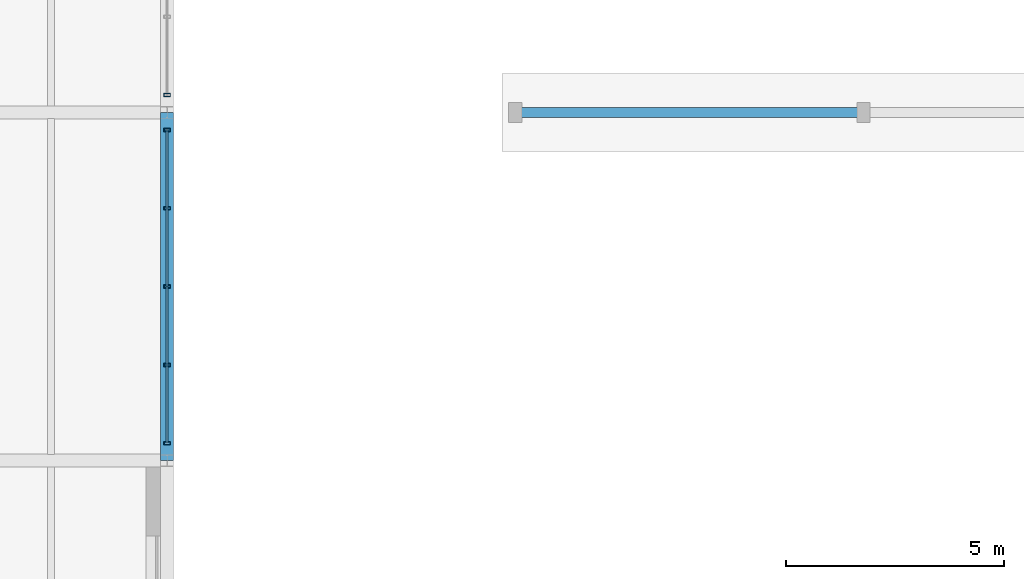
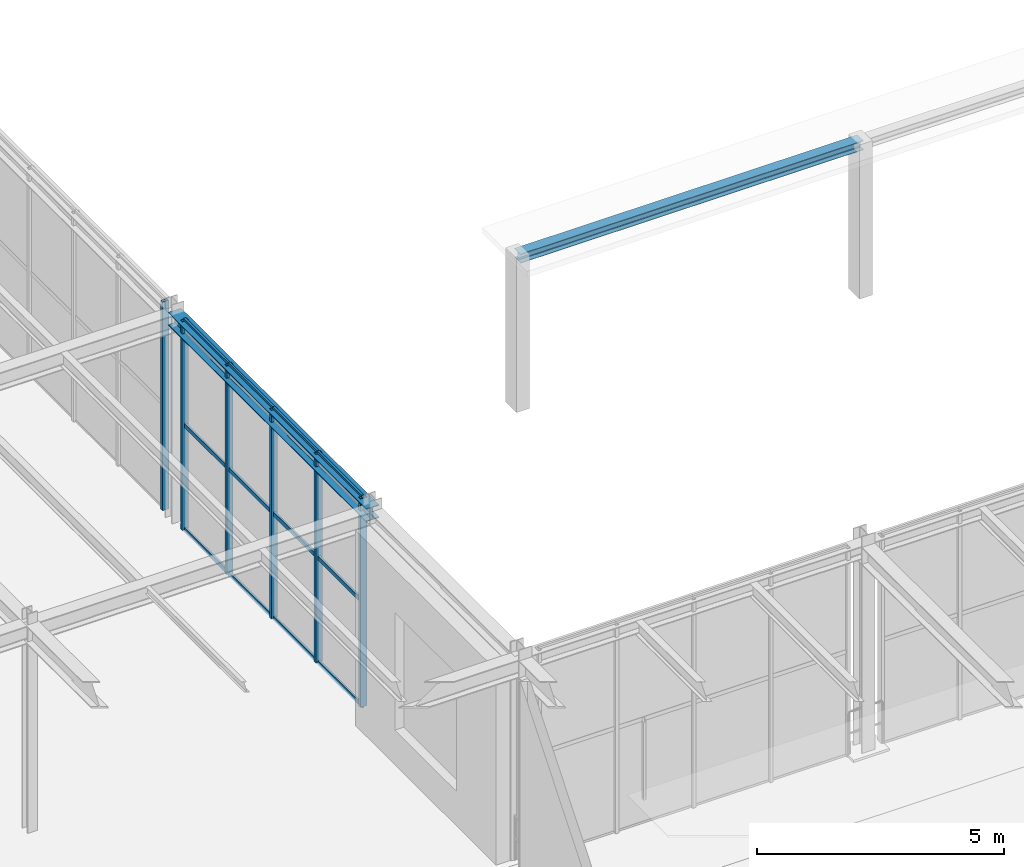
# One storey, part 39 of 129: 18 members, 2 beams, 2 elements without a shape of their own.
"""IFC4 building model written with IfcOpenShell, lengths in metres."""

from ifc_helpers import new_model, si_unit, direction, frame, origin, origin_2d, place, context, subcontext, project, spatial, hollow_rectangle, i_section, extrude, material, material_profile, profile_set, type_object, element, aggregate, save


model = new_model("IFC4")

# Units and contexts
model_context = context("Model", 3, precision=1e-05, world=origin(), true_north=direction((0.0, 1.0)))
body_context = subcontext(model_context, "Body", "Model", "MODEL_VIEW")
ifc_project = project(units=[si_unit("LENGTHUNIT", "METRE"), si_unit("AREAUNIT", "SQUARE_METRE"), si_unit("VOLUMEUNIT", "CUBIC_METRE"), si_unit("PLANEANGLEUNIT", "RADIAN"), si_unit("MASSUNIT", "GRAM", prefix="KILO")], contexts=[model_context])

# Site, building, storey
site_placement = place(None, origin())
site = spatial("IfcSite", under=ifc_project, at=site_placement, CompositionType="ELEMENT")
building_placement = place(site_placement, origin())
building = spatial("IfcBuilding", under=site, at=building_placement, Name="Sundkrona Museum", CompositionType="ELEMENT")
storey_placement = place(building_placement, origin())
storey = spatial("IfcBuildingStorey", under=building, at=storey_placement, Name="L00", CompositionType="ELEMENT", Elevation=0.0)

# Beam
ifc_material_1 = material(Name="Steel S355J2", Category="steel")
ifc_material_profile_1 = material_profile(ifc_material_1, i_section(OverallWidth=0.239990234375, OverallDepth=0.22998046875, WebThickness=0.007568359375, FlangeThickness=0.011962890625, FilletRadius=0.02099609375, at=origin_2d()), Name="HEA 240")
ifc_profile_set_1 = profile_set([ifc_material_profile_1], Name="Steel S355J2")
beam_type_1 = type_object("IfcBeamType", Name="B-HEA240", PredefinedType="BEAM", material=ifc_profile_set_1)
beam_1_placement = place(storey_placement, frame((104.0, 54.0, 3.679931640625), z_axis=(1.0, 0.0, 0.0), x_axis=(0.0, 1.0, 0.0)))
element("IfcBeam", 1, at=beam_1_placement, inside=storey, type_object=beam_type_1, Name="Courtyard Pergola Tie Beam SCN-1", PredefinedType="BEAM", context=body_context, shape_type="SweptSolid", body=[
    extrude(i_section(OverallWidth=0.239990234375, OverallDepth=0.22998046875, WebThickness=0.007568359375, FlangeThickness=0.011962890625, FilletRadius=0.02099609375, at=origin_2d()), origin(), (0.0, 0.0, 1.0), 8.0),
])

# Curtain wall, members
ifc_material_2 = material(Name="Unitised Aluminium-Steel and Ceramic-Clad Curtain Walling", Category="steel")
curtain_wall_type = type_object("IfcCurtainWallType", Name="CW-PS-74x48", PredefinedType="NOTDEFINED", material=ifc_material_2)
curtain_wall_1_placement = place(storey_placement, origin())
curtain_wall_1 = element("IfcCurtainWall", 2, at=curtain_wall_1_placement, inside=storey, type_object=curtain_wall_type, Name="L00 Curtain Wall CW-L00-095", PredefinedType="NOTDEFINED")
ifc_material_3 = material(Name="Aluminium EN AW-6060 T66", Category="aluminium")
ifc_material_profile_2 = material_profile(ifc_material_3, hollow_rectangle(XDim=0.074951171875, YDim=0.14990234375, WallThickness=0.00634765625, at=origin_2d()), Name="RHS 150x75x6.3")
ifc_profile_set_2 = profile_set([ifc_material_profile_2], Name="Aluminium EN AW-6060 T66")
member_type_1 = type_object("IfcMemberType", Name="ML-150", PredefinedType="MULLION", material=ifc_profile_set_2)
member_1_placement = place(storey_placement, frame((96.0, 46.39990234375, -0.00390625), z_axis=(0.0, 0.0, 1.0), x_axis=(0.0, 1.0, 0.0)))
member_1 = element("IfcMember", 3, at=member_1_placement, type_object=member_type_1, Name="CW-L00-095 Mullion 01", PredefinedType="MULLION", context=body_context, shape_type="SweptSolid", body=[
    extrude(hollow_rectangle(XDim=0.074951171875, YDim=0.14990234375, WallThickness=0.00634765625, at=origin_2d()), origin(), (0.0, 0.0, 1.0), 5.14794921875),
])
member_2_placement = place(storey_placement, frame((96.0, 48.199951171875, -0.00390625), z_axis=(0.0, 0.0, 1.0), x_axis=(0.0, 1.0, 0.0)))
member_2 = element("IfcMember", 4, at=member_2_placement, type_object=member_type_1, Name="CW-L00-095 Mullion 02", PredefinedType="MULLION", context=body_context, shape_type="SweptSolid", body=[
    extrude(hollow_rectangle(XDim=0.074951171875, YDim=0.14990234375, WallThickness=0.00634765625, at=origin_2d()), origin(), (0.0, 0.0, 1.0), 5.14794921875),
])
member_3_placement = place(storey_placement, frame((96.0, 50.0, -0.00390625), z_axis=(0.0, 0.0, 1.0), x_axis=(0.0, 1.0, 0.0)))
member_3 = element("IfcMember", 5, at=member_3_placement, type_object=member_type_1, Name="CW-L00-095 Mullion 03", PredefinedType="MULLION", context=body_context, shape_type="SweptSolid", body=[
    extrude(hollow_rectangle(XDim=0.074951171875, YDim=0.14990234375, WallThickness=0.00634765625, at=origin_2d()), origin(), (0.0, 0.0, 1.0), 5.14794921875),
])
member_4_placement = place(storey_placement, frame((96.0, 51.800048828125, -0.00390625), z_axis=(0.0, 0.0, 1.0), x_axis=(0.0, 1.0, 0.0)))
member_4 = element("IfcMember", 6, at=member_4_placement, type_object=member_type_1, Name="CW-L00-095 Mullion 04", PredefinedType="MULLION", context=body_context, shape_type="SweptSolid", body=[
    extrude(hollow_rectangle(XDim=0.074951171875, YDim=0.14990234375, WallThickness=0.00634765625, at=origin_2d()), origin(), (0.0, 0.0, 1.0), 5.14794921875),
])
member_5_placement = place(storey_placement, frame((96.0, 53.60009765625, -0.00390625), z_axis=(0.0, 0.0, 1.0), x_axis=(0.0, 1.0, 0.0)))
member_5 = element("IfcMember", 7, at=member_5_placement, type_object=member_type_1, Name="CW-L00-095 Mullion 05", PredefinedType="MULLION", context=body_context, shape_type="SweptSolid", body=[
    extrude(hollow_rectangle(XDim=0.074951171875, YDim=0.14990234375, WallThickness=0.00634765625, at=origin_2d()), origin(), (0.0, 0.0, 1.0), 5.14794921875),
])

# Curtain wall, member
curtain_wall_2_placement = place(storey_placement, origin())
curtain_wall_2 = element("IfcCurtainWall", 8, at=curtain_wall_2_placement, inside=storey, type_object=curtain_wall_type, Name="L00 Curtain Wall CW-L00-097", PredefinedType="NOTDEFINED")
member_6_placement = place(storey_placement, frame((96.0, 54.39990234375, -0.00390625), z_axis=(0.0, 0.0, 1.0), x_axis=(0.0, 1.0, 0.0)))
member_6 = element("IfcMember", 9, at=member_6_placement, type_object=member_type_1, Name="CW-L00-097 Mullion 01", PredefinedType="MULLION", context=body_context, shape_type="SweptSolid", body=[
    extrude(hollow_rectangle(XDim=0.074951171875, YDim=0.14990234375, WallThickness=0.00634765625, at=origin_2d()), origin(), (0.0, 0.0, 1.0), 5.14794921875),
])
aggregate(curtain_wall_2, [member_6])

# Beam
ifc_material_profile_3 = material_profile(ifc_material_1, i_section(OverallWidth=0.300048828125, OverallDepth=0.320068359375, WebThickness=0.011474609375, FlangeThickness=0.0205078125, FilletRadius=0.027099609375, at=origin_2d()), Name="HEB 320")
ifc_profile_set_3 = profile_set([ifc_material_profile_3], Name="Steel S355J2")
beam_type_2 = type_object("IfcBeamType", Name="SP-HEB320", PredefinedType="SPANDREL", material=ifc_profile_set_3)
beam_2_placement = place(storey_placement, frame((96.0, 46.0, 4.97998046875), z_axis=(0.0, 1.0, 0.0), x_axis=(-1.0, 0.0, 0.0)))
element("IfcBeam", 10, at=beam_2_placement, inside=storey, type_object=beam_type_2, Name="L00 Girder Y-0702", PredefinedType="SPANDREL", context=body_context, shape_type="SweptSolid", body=[
    extrude(i_section(OverallWidth=0.300048828125, OverallDepth=0.320068359375, WebThickness=0.011474609375, FlangeThickness=0.0205078125, FilletRadius=0.027099609375, at=origin_2d()), origin(), (0.0, 0.0, 1.0), 8.0),
])

# Member
ifc_material_profile_4 = material_profile(ifc_material_3, hollow_rectangle(XDim=0.050048828125, YDim=0.10009765625, WallThickness=0.0048828125, at=origin_2d()), Name="RHS 100x50x5.0")
ifc_profile_set_4 = profile_set([ifc_material_profile_4], Name="Aluminium EN AW-6060 T66")
member_type_2 = type_object("IfcMemberType", Name="TR-100", PredefinedType="USERDEFINED", material=ifc_profile_set_4)
member_7_placement = place(storey_placement, frame((96.0, 46.39990234375, -0.00390625), z_axis=(0.0, 1.0, 0.0), x_axis=(-1.0, 0.0, 0.0)))
member_7 = element("IfcMember", 11, at=member_7_placement, type_object=member_type_2, Name="CW-L00-095 Transom 01", ObjectType="TRANSOM", PredefinedType="USERDEFINED", context=body_context, shape_type="SweptSolid", body=[
    extrude(hollow_rectangle(XDim=0.050048828125, YDim=0.10009765625, WallThickness=0.0048828125, at=origin_2d()), origin(), (0.0, 0.0, 1.0), 1.800048828125),
])

member_8_placement = place(storey_placement, frame((96.0, 46.39990234375, 2.570068359375), z_axis=(0.0, 1.0, 0.0), x_axis=(-1.0, 0.0, 0.0)))
member_8 = element("IfcMember", 12, at=member_8_placement, type_object=member_type_2, Name="CW-L00-095 Transom 02", ObjectType="TRANSOM", PredefinedType="USERDEFINED", context=body_context, shape_type="SweptSolid", body=[
    extrude(hollow_rectangle(XDim=0.050048828125, YDim=0.10009765625, WallThickness=0.0048828125, at=origin_2d()), origin(), (0.0, 0.0, 1.0), 1.800048828125),
])

member_9_placement = place(storey_placement, frame((96.0, 46.39990234375, 5.14404296875), z_axis=(0.0, 1.0, 0.0), x_axis=(-1.0, 0.0, 0.0)))
member_9 = element("IfcMember", 13, at=member_9_placement, type_object=member_type_2, Name="CW-L00-095 Transom 03", ObjectType="TRANSOM", PredefinedType="USERDEFINED", context=body_context, shape_type="SweptSolid", body=[
    extrude(hollow_rectangle(XDim=0.050048828125, YDim=0.10009765625, WallThickness=0.0048828125, at=origin_2d()), origin(), (0.0, 0.0, 1.0), 1.800048828125),
])

member_10_placement = place(storey_placement, frame((96.0, 48.199951171875, -0.00390625), z_axis=(0.0, 1.0, 0.0), x_axis=(-1.0, 0.0, 0.0)))
member_10 = element("IfcMember", 14, at=member_10_placement, type_object=member_type_2, Name="CW-L00-095 Transom 04", ObjectType="TRANSOM", PredefinedType="USERDEFINED", context=body_context, shape_type="SweptSolid", body=[
    extrude(hollow_rectangle(XDim=0.050048828125, YDim=0.10009765625, WallThickness=0.0048828125, at=origin_2d()), origin(), (0.0, 0.0, 1.0), 1.800048828125),
])

member_11_placement = place(storey_placement, frame((96.0, 48.199951171875, 2.570068359375), z_axis=(0.0, 1.0, 0.0), x_axis=(-1.0, 0.0, 0.0)))
member_11 = element("IfcMember", 15, at=member_11_placement, type_object=member_type_2, Name="CW-L00-095 Transom 05", ObjectType="TRANSOM", PredefinedType="USERDEFINED", context=body_context, shape_type="SweptSolid", body=[
    extrude(hollow_rectangle(XDim=0.050048828125, YDim=0.10009765625, WallThickness=0.0048828125, at=origin_2d()), origin(), (0.0, 0.0, 1.0), 1.800048828125),
])

member_12_placement = place(storey_placement, frame((96.0, 48.199951171875, 5.14404296875), z_axis=(0.0, 1.0, 0.0), x_axis=(-1.0, 0.0, 0.0)))
member_12 = element("IfcMember", 16, at=member_12_placement, type_object=member_type_2, Name="CW-L00-095 Transom 06", ObjectType="TRANSOM", PredefinedType="USERDEFINED", context=body_context, shape_type="SweptSolid", body=[
    extrude(hollow_rectangle(XDim=0.050048828125, YDim=0.10009765625, WallThickness=0.0048828125, at=origin_2d()), origin(), (0.0, 0.0, 1.0), 1.800048828125),
])

member_13_placement = place(storey_placement, frame((96.0, 50.0, -0.00390625), z_axis=(0.0, 1.0, 0.0), x_axis=(-1.0, 0.0, 0.0)))
member_13 = element("IfcMember", 17, at=member_13_placement, type_object=member_type_2, Name="CW-L00-095 Transom 07", ObjectType="TRANSOM", PredefinedType="USERDEFINED", context=body_context, shape_type="SweptSolid", body=[
    extrude(hollow_rectangle(XDim=0.050048828125, YDim=0.10009765625, WallThickness=0.0048828125, at=origin_2d()), origin(), (0.0, 0.0, 1.0), 1.800048828125),
])

member_14_placement = place(storey_placement, frame((96.0, 50.0, 2.570068359375), z_axis=(0.0, 1.0, 0.0), x_axis=(-1.0, 0.0, 0.0)))
member_14 = element("IfcMember", 18, at=member_14_placement, type_object=member_type_2, Name="CW-L00-095 Transom 08", ObjectType="TRANSOM", PredefinedType="USERDEFINED", context=body_context, shape_type="SweptSolid", body=[
    extrude(hollow_rectangle(XDim=0.050048828125, YDim=0.10009765625, WallThickness=0.0048828125, at=origin_2d()), origin(), (0.0, 0.0, 1.0), 1.800048828125),
])

member_15_placement = place(storey_placement, frame((96.0, 50.0, 5.14404296875), z_axis=(0.0, 1.0, 0.0), x_axis=(-1.0, 0.0, 0.0)))
member_15 = element("IfcMember", 19, at=member_15_placement, type_object=member_type_2, Name="CW-L00-095 Transom 09", ObjectType="TRANSOM", PredefinedType="USERDEFINED", context=body_context, shape_type="SweptSolid", body=[
    extrude(hollow_rectangle(XDim=0.050048828125, YDim=0.10009765625, WallThickness=0.0048828125, at=origin_2d()), origin(), (0.0, 0.0, 1.0), 1.800048828125),
])

member_16_placement = place(storey_placement, frame((96.0, 51.800048828125, -0.00390625), z_axis=(0.0, 1.0, 0.0), x_axis=(-1.0, 0.0, 0.0)))
member_16 = element("IfcMember", 20, at=member_16_placement, type_object=member_type_2, Name="CW-L00-095 Transom 10", ObjectType="TRANSOM", PredefinedType="USERDEFINED", context=body_context, shape_type="SweptSolid", body=[
    extrude(hollow_rectangle(XDim=0.050048828125, YDim=0.10009765625, WallThickness=0.0048828125, at=origin_2d()), origin(), (0.0, 0.0, 1.0), 1.800048828125),
])

member_17_placement = place(storey_placement, frame((96.0, 51.800048828125, 2.570068359375), z_axis=(0.0, 1.0, 0.0), x_axis=(-1.0, 0.0, 0.0)))
member_17 = element("IfcMember", 21, at=member_17_placement, type_object=member_type_2, Name="CW-L00-095 Transom 11", ObjectType="TRANSOM", PredefinedType="USERDEFINED", context=body_context, shape_type="SweptSolid", body=[
    extrude(hollow_rectangle(XDim=0.050048828125, YDim=0.10009765625, WallThickness=0.0048828125, at=origin_2d()), origin(), (0.0, 0.0, 1.0), 1.800048828125),
])

member_18_placement = place(storey_placement, frame((96.0, 51.800048828125, 5.14404296875), z_axis=(0.0, 1.0, 0.0), x_axis=(-1.0, 0.0, 0.0)))
member_18 = element("IfcMember", 22, at=member_18_placement, type_object=member_type_2, Name="CW-L00-095 Transom 12", ObjectType="TRANSOM", PredefinedType="USERDEFINED", context=body_context, shape_type="SweptSolid", body=[
    extrude(hollow_rectangle(XDim=0.050048828125, YDim=0.10009765625, WallThickness=0.0048828125, at=origin_2d()), origin(), (0.0, 0.0, 1.0), 1.800048828125),
])

aggregate(curtain_wall_1, [member_1, member_2, member_3, member_4, member_5, member_7, member_8, member_9, member_10, member_11, member_12, member_13, member_14, member_15, member_16, member_17, member_18])

save(model, "model.ifc")
